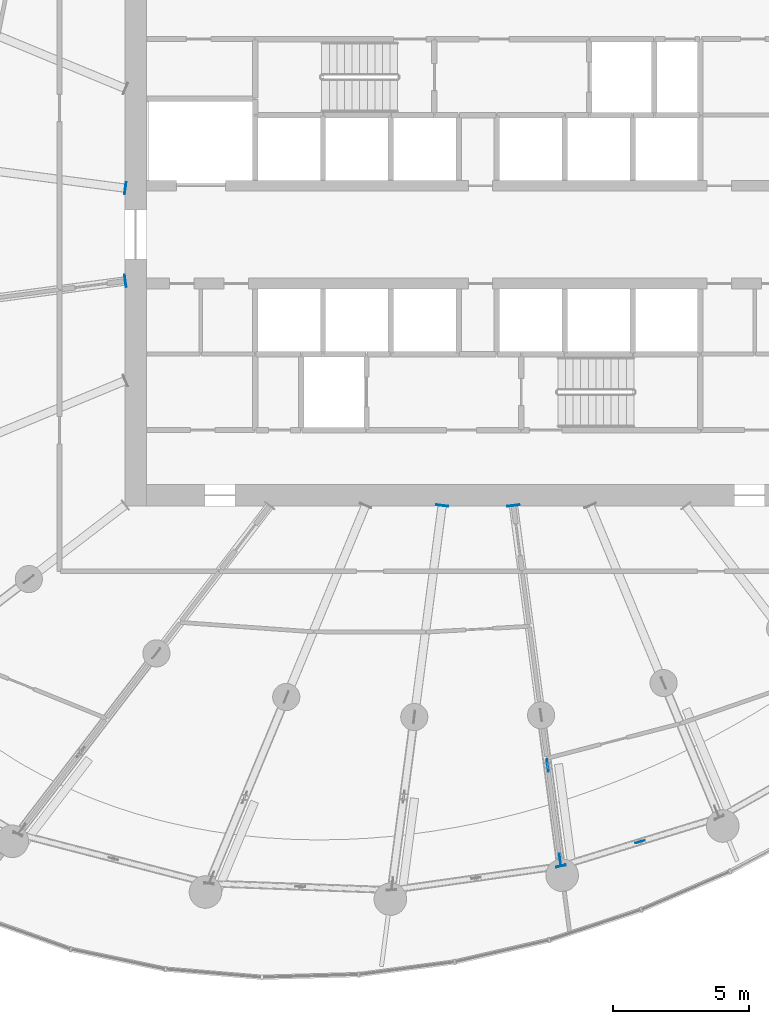
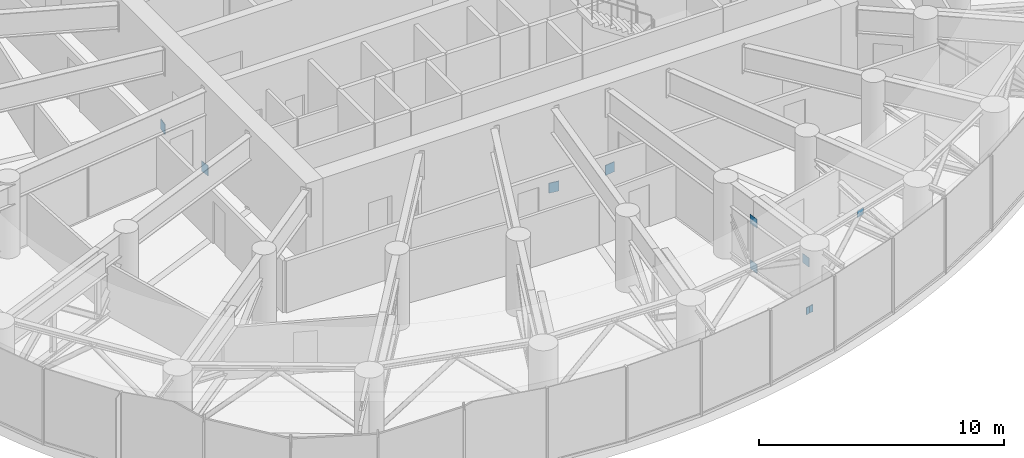
# One storey, part 24 of 33: 10 discrete accessories.
"""IFC4 building model written with IfcOpenShell, lengths in metres."""

from ifc_helpers import new_model, si_unit, direction, frame, origin, origin_2d, place, context, subcontext, project, spatial, rectangle, extrude, source, transform, mapped, material, layer, layer_set, type_object, element, save


model = new_model("IFC4")

# Units and contexts
model_context = context("Model", 3, precision=1e-05, world=origin(), true_north=direction((0.0, 1.0)))
body_context = subcontext(model_context, "Body", "Model", "MODEL_VIEW")
ifc_project = project(units=[si_unit("LENGTHUNIT", "METRE"), si_unit("AREAUNIT", "SQUARE_METRE"), si_unit("VOLUMEUNIT", "CUBIC_METRE"), si_unit("PLANEANGLEUNIT", "RADIAN"), si_unit("MASSUNIT", "GRAM", prefix="KILO")], contexts=[model_context])

# Site, building, storey
site_placement = place(None, origin())
site = spatial("IfcSite", under=ifc_project, at=site_placement, CompositionType="ELEMENT")
building_placement = place(site_placement, origin())
building = spatial("IfcBuilding", under=site, at=building_placement, Name="Spindrift Exchange Tower", CompositionType="ELEMENT")
storey_placement = place(building_placement, frame((0.0, 0.0, 129.0)))
storey = spatial("IfcBuildingStorey", under=building, at=storey_placement, Name="L30", CompositionType="ELEMENT", Elevation=129.0)

# Discrete accessories
ifc_material = material(Name="Steel Grade 350", Category="steel")
ifc_layer_1 = layer(ifc_material, 0.031982421875)
ifc_layer_set_1 = layer_set([ifc_layer_1], Name="Cast-in plate 450x500x32 Steel Grade 350")
discrete_accessory_type_1 = type_object("IfcDiscreteAccessoryType", Name="Cast-in plate 450x500x32 Steel Grade 350", PredefinedType="USERDEFINED", material=ifc_layer_set_1)
shared_shape_1 = source(origin(), body_context, "Body", "SweptSolid", [
    extrude(rectangle(XDim=0.031982421875, YDim=0.449951171875, at=origin_2d()), origin(), (0.0, 0.0, 1.0), 0.5),
])
for number, where, z_axis, x_axis, name in (
    (1, (39.019775390625, 49.708984375, -0.410400390625), (0.0, 0.0, 1.0), (-0.991444861374, 0.13052619222, 0.0), "L30 cast-in plate CP2 12"),
    (2, (39.019775390625, 46.291015625, -0.410400390625), (0.0, 0.0, 1.0), (-0.991444861374, -0.13052619222, 0.0), "L30 cast-in plate CP2 13"),
    (3, (50.68603515625, 38.019775390625, -0.410400390625), (0.0, 0.0, 1.0), (-0.13052619222, -0.991444861374, 0.0), "L30 cast-in plate CP2 18"),
    (4, (53.31396484375, 38.019775390625, -0.410400390625), (0.0, 0.0, 1.0), (0.13052619222, -0.991444861374, 0.0), "L30 cast-in plate CP2 19"),
):
    element("IfcDiscreteAccessory", number, at=place(storey_placement, frame(where, z_axis=z_axis, x_axis=x_axis)), inside=storey, type_object=discrete_accessory_type_1, Name=name, ObjectType="Cast-in plate", PredefinedType="USERDEFINED", context=body_context, shape_type="MappedRepresentation", body=[
        mapped(shared_shape_1, transform((0.0, 0.0, 0.0), scale=1.0)),
    ])
ifc_layer_2 = layer(ifc_material, 0.02490234375)
ifc_layer_set_2 = layer_set([ifc_layer_2], Name="Gusset plate 450x450x25 Steel Grade 350")
discrete_accessory_type_2 = type_object("IfcDiscreteAccessoryType", Name="Gusset plate 450x450x25 Steel Grade 350", PredefinedType="USERDEFINED", material=ifc_layer_set_2)
shared_shape_2 = source(origin(), body_context, "Body", "SweptSolid", [
    extrude(rectangle(XDim=0.449951171875, YDim=0.02490234375, at=origin_2d()), origin(), (0.0, 0.0, 1.0), 0.449951171875),
])
for number, where, z_axis, x_axis, name in (
    (5, (54.573974609375, 28.44873046875, 0.09619140625), (0.0, 0.0, 1.0), (0.130522731424, -0.99144531699, 0.0), "L30 gusset plate GP1 19"),
    (6, (55.03076171875, 24.9794921875, 2.35498046875), (0.0, 0.0, 1.0), (0.130521001025, -0.991445544794, 0.0), "L30 gusset plate GP1 19"),
    (7, (54.573974609375, 28.44873046875, 2.35498046875), (0.0, 0.0, 1.0), (0.13052619222, -0.991444861374, 0.0), "L30 gusset plate GP1 19"),
):
    element("IfcDiscreteAccessory", number, at=place(storey_placement, frame(where, z_axis=z_axis, x_axis=x_axis)), inside=storey, type_object=discrete_accessory_type_2, Name=name, ObjectType="Gusset plate", PredefinedType="USERDEFINED", context=body_context, shape_type="MappedRepresentation", body=[
        mapped(shared_shape_2, transform((0.0, 0.0, 0.0), scale=1.0)),
    ])
ifc_layer_3 = layer(ifc_material, 0.02001953125)
ifc_layer_set_3 = layer_set([ifc_layer_3], Name="Gusset plate 350x350x20 Steel Grade 350")
discrete_accessory_type_3 = type_object("IfcDiscreteAccessoryType", Name="Gusset plate 350x350x20 Steel Grade 350", PredefinedType="USERDEFINED", material=ifc_layer_set_3)
shared_shape_3 = source(origin(), body_context, "Body", "SweptSolid", [
    extrude(rectangle(XDim=0.35009765625, YDim=0.02001953125, at=origin_2d()), origin(), (0.0, 0.0, 1.0), 0.35009765625),
])
for number, where, z_axis, x_axis, name in (
    (8, (55.06201171875, 24.74169921875, 0.078857421875), (0.0, 0.0, 1.0), (0.990171154486, 0.139860948171, 0.0), "L30 gusset plate GP2 18"),
    (9, (55.06201171875, 24.74169921875, 0.078857421875), (0.0, 0.0, 1.0), (0.955861244272, 0.293818450236, 0.0), "L30 gusset plate GP2 19"),
    (10, (57.976806640625, 25.6376953125, 3.350830078125), (0.0, 0.0, 1.0), (0.955861244272, 0.293818450236, 0.0), "L30 gusset plate GP2 19"),
):
    element("IfcDiscreteAccessory", number, at=place(storey_placement, frame(where, z_axis=z_axis, x_axis=x_axis)), inside=storey, type_object=discrete_accessory_type_3, Name=name, ObjectType="Gusset plate", PredefinedType="USERDEFINED", context=body_context, shape_type="MappedRepresentation", body=[
        mapped(shared_shape_3, transform((0.0, 0.0, 0.0), scale=1.0)),
    ])

save(model, "model.ifc")
